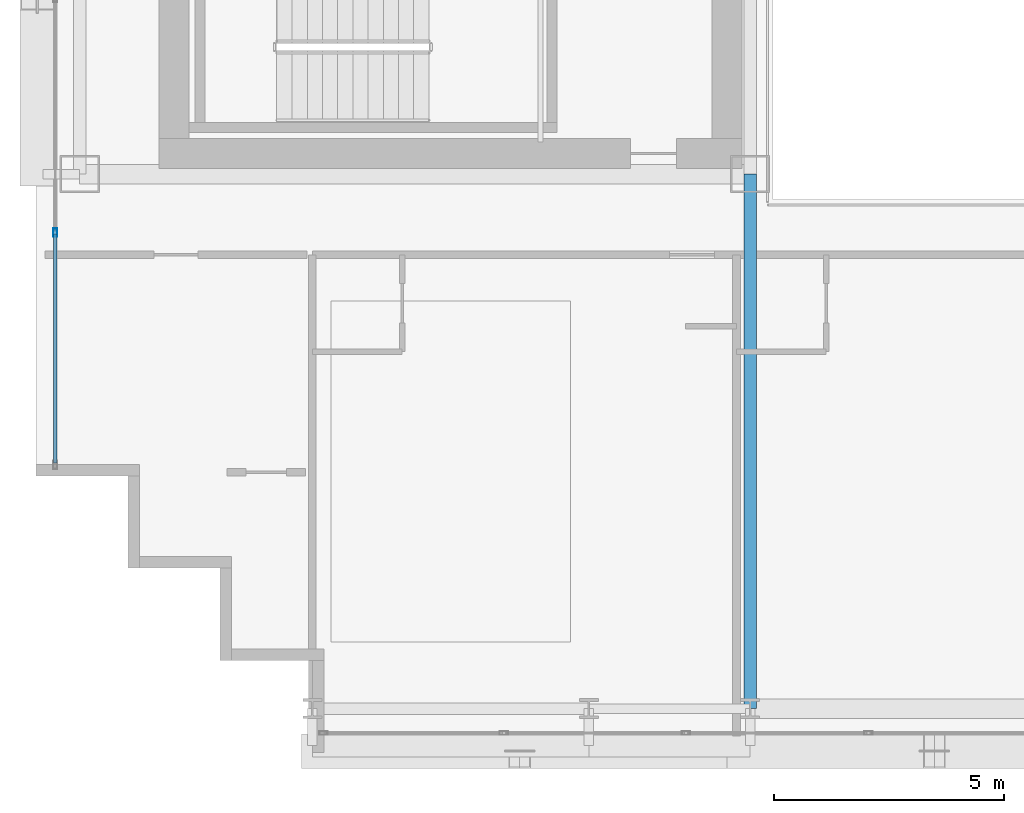
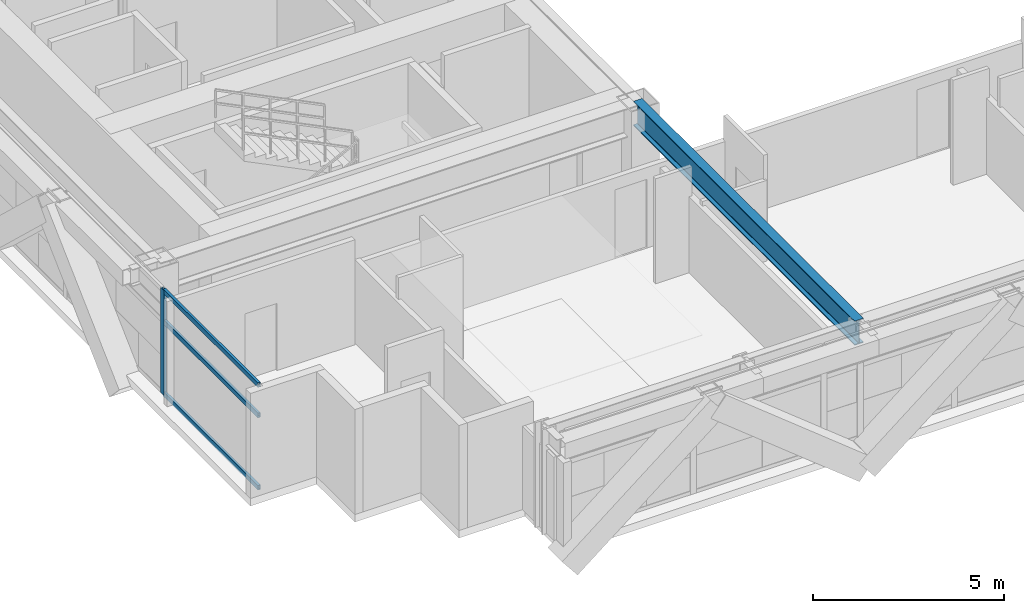
# One storey, part 3 of 34: 4 members, 1 beam, 1 element without a shape of its own.
"""IFC4 building model written with IfcOpenShell, lengths in metres."""

from ifc_helpers import new_model, si_unit, direction, frame, origin, origin_2d, place, context, subcontext, project, spatial, hollow_rectangle, i_section, extrude, source, transform, mapped, material, layer, layer_set, material_profile, profile_set, type_object, element, aggregate, save


model = new_model("IFC4")

# Units and contexts
model_context = context("Model", 3, precision=1e-05, world=origin(), true_north=direction((0.0, 1.0)))
body_context = subcontext(model_context, "Body", "Model", "MODEL_VIEW")
ifc_project = project(units=[si_unit("LENGTHUNIT", "METRE"), si_unit("AREAUNIT", "SQUARE_METRE"), si_unit("VOLUMEUNIT", "CUBIC_METRE"), si_unit("PLANEANGLEUNIT", "RADIAN"), si_unit("MASSUNIT", "GRAM", prefix="KILO")], contexts=[model_context])

# Site, building, storey
site_placement = place(None, origin())
site = spatial("IfcSite", under=ifc_project, at=site_placement, CompositionType="ELEMENT")
building_placement = place(site_placement, origin())
building = spatial("IfcBuilding", under=site, at=building_placement, Name="Ocotamira Hotel", CompositionType="ELEMENT")
storey_placement = place(building_placement, frame((0.0, 0.0, 111.60009765625)))
storey = spatial("IfcBuildingStorey", under=building, at=storey_placement, Name="L27", CompositionType="ELEMENT", Elevation=111.60009765625)

# Beam
ifc_material_1 = material(Name="Steel ASTM A992 Grade 50", Category="steel")
ifc_material_profile_1 = material_profile(ifc_material_1, i_section(OverallWidth=0.26611328125, OverallDepth=0.779052734375, WebThickness=0.0166015625, FlangeThickness=0.030029296875, FilletRadius=0.01806640625, at=origin_2d()), Name="W30X148")
ifc_profile_set_1 = profile_set([ifc_material_profile_1], Name="Steel ASTM A992 Grade 50")
beam_type = type_object("IfcBeamType", Name="BM-GIRD-W30X148", PredefinedType="BEAM", material=ifc_profile_set_1)
shared_shape_1 = source(origin(), body_context, "Body", "SweptSolid", [
    extrude(i_section(OverallWidth=0.26611328125, OverallDepth=0.779052734375, WebThickness=0.0166015625, FlangeThickness=0.030029296875, FilletRadius=0.01806640625, at=origin_2d()), origin(), (0.0, 0.0, 1.0), 11.60009765625),
])
beam_placement = place(storey_placement, frame((23.5, 2.949951171875, 2.970458984375), z_axis=(0.0, 1.0, 0.0), x_axis=(-1.0, 0.0, 0.0)))
element("IfcBeam", 1, at=beam_placement, inside=storey, type_object=beam_type, Name="L27 Beam X23.5 Y2.95-14.55", PredefinedType="BEAM", context=body_context, shape_type="MappedRepresentation", body=[
    mapped(shared_shape_1, transform((0.0, 0.0, 0.0), scale=1.0)),
])

# Curtain wall, members
ifc_material_2 = material(Name="Anodised pale-metal aluminium and solar glass", Category="aluminium")
ifc_layer = layer(ifc_material_2, 0.179931640625)
ifc_layer_set = layer_set([ifc_layer], Name="Anodised pale-metal aluminium and solar glass")
curtain_wall_type = type_object("IfcCurtainWallType", Name="CW-SYS3-Z2", PredefinedType="NOTDEFINED", material=ifc_layer_set)
curtain_wall_placement = place(storey_placement, origin())
curtain_wall = element("IfcCurtainWall", 2, at=curtain_wall_placement, inside=storey, type_object=curtain_wall_type, Name="L27 Curtain Wall CW-3 CW-L27-W", PredefinedType="NOTDEFINED")
ifc_material_3 = material(Name="Anodised pale-metal aluminium 6063-T6", Category="aluminium")
ifc_material_profile_2 = material_profile(ifc_material_3, hollow_rectangle(XDim=0.074951171875, YDim=0.14990234375, WallThickness=0.006103515625, at=origin_2d()), Name="HSS150X75X6")
ifc_profile_set_2 = profile_set([ifc_material_profile_2], Name="Anodised pale-metal aluminium 6063-T6")
member_type_1 = type_object("IfcMemberType", Name="CWT-150X75", PredefinedType="USERDEFINED", material=ifc_profile_set_2)
shared_shape_2 = source(origin(), body_context, "Body", "SweptSolid", [
    extrude(hollow_rectangle(XDim=0.074951171875, YDim=0.14990234375, WallThickness=0.006103515625, at=origin_2d()), origin(), (0.0, 0.0, 1.0), 4.965576171875),
])
member_1_placement = place(storey_placement, frame((8.419921875, 8.280029296875, 0.037353515625), z_axis=(0.0, 1.0, 0.0), x_axis=(-1.0, 0.0, 0.0)))
member_1 = element("IfcMember", 3, at=member_1_placement, type_object=member_type_1, Name="CW-3 transom 1.1", ObjectType="TRANSOM", PredefinedType="USERDEFINED", context=body_context, shape_type="MappedRepresentation", body=[
    mapped(shared_shape_2, transform((0.0, 0.0, 0.0), scale=1.0)),
])
member_2_placement = place(storey_placement, frame((8.419921875, 8.280029296875, 2.349853515625), z_axis=(0.0, 1.0, 0.0), x_axis=(-1.0, 0.0, 0.0)))
member_2 = element("IfcMember", 4, at=member_2_placement, type_object=member_type_1, Name="CW-3 transom 1.2", ObjectType="TRANSOM", PredefinedType="USERDEFINED", context=body_context, shape_type="MappedRepresentation", body=[
    mapped(shared_shape_2, transform((0.0, 0.0, 0.0), scale=1.0)),
])
member_3_placement = place(storey_placement, frame((8.419921875, 8.280029296875, 3.322509765625), z_axis=(0.0, 1.0, 0.0), x_axis=(-1.0, 0.0, 0.0)))
member_3 = element("IfcMember", 5, at=member_3_placement, type_object=member_type_1, Name="CW-3 transom 1.3", ObjectType="TRANSOM", PredefinedType="USERDEFINED", context=body_context, shape_type="MappedRepresentation", body=[
    mapped(shared_shape_2, transform((0.0, 0.0, 0.0), scale=1.0)),
])
ifc_material_profile_3 = material_profile(ifc_material_3, hollow_rectangle(XDim=0.080078125, YDim=0.179931640625, WallThickness=0.006103515625, at=origin_2d()), Name="HSS180X80X6")
ifc_profile_set_3 = profile_set([ifc_material_profile_3], Name="Anodised pale-metal aluminium 6063-T6")
member_type_2 = type_object("IfcMemberType", Name="CWM-180X75", PredefinedType="MULLION", material=ifc_profile_set_3)
shared_shape_3 = source(origin(), body_context, "Body", "SweptSolid", [
    extrude(hollow_rectangle(XDim=0.080078125, YDim=0.179931640625, WallThickness=0.006103515625, at=origin_2d()), origin(), (0.0, 0.0, 1.0), 3.35986328125),
])
member_4_placement = place(storey_placement, frame((8.419921875, 13.28564453125, 0.0), z_axis=(0.0, 0.0, 1.0), x_axis=(-1.0, 0.0, 0.0)))
member_4 = element("IfcMember", 6, at=member_4_placement, type_object=member_type_2, Name="CW-3 mullion 2", PredefinedType="MULLION", context=body_context, shape_type="MappedRepresentation", body=[
    mapped(shared_shape_3, transform((0.0, 0.0, 0.0), scale=1.0)),
])
aggregate(curtain_wall, [member_4, member_1, member_2, member_3])

save(model, "model.ifc")
